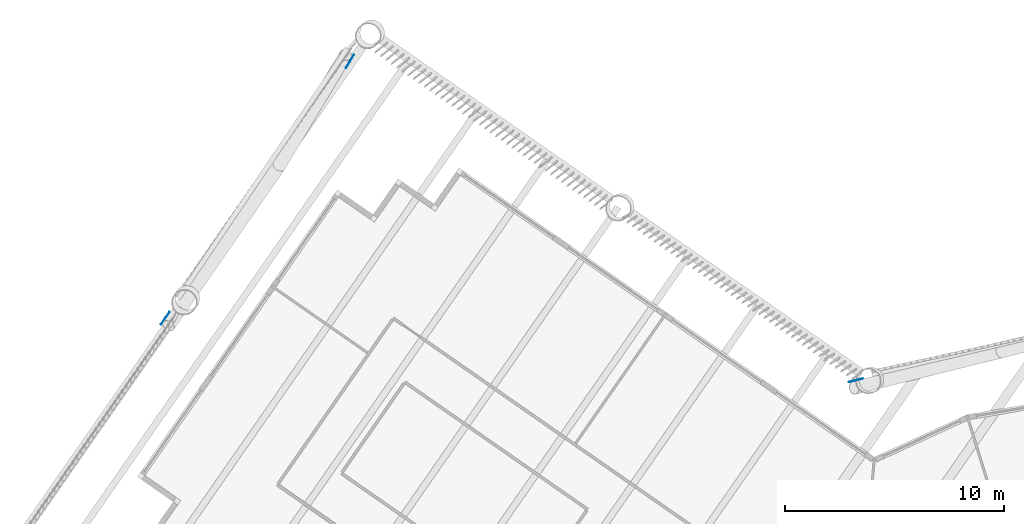
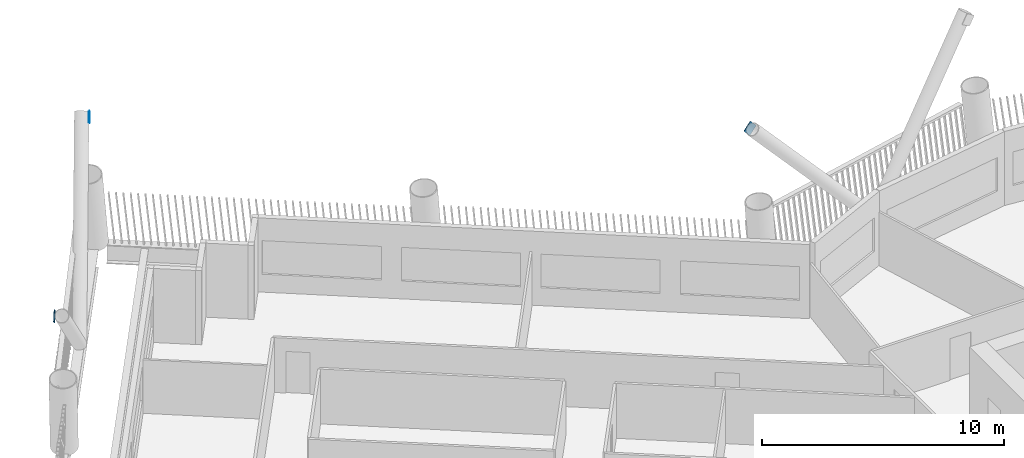
# One storey, part 12 of 23: 3 discrete accessories.
"""IFC4 building model written with IfcOpenShell, lengths in metres."""

from ifc_helpers import new_model, si_unit, direction, frame, origin, origin_2d, place, context, subcontext, project, spatial, rectangle, extrude, material, material_profile, profile_set, type_object, element, save


model = new_model("IFC4")

# Units and contexts
model_context = context("Model", 3, precision=1e-05, world=origin(), true_north=direction((0.0, 1.0)))
body_context = subcontext(model_context, "Body", "Model", "MODEL_VIEW")
ifc_project = project(units=[si_unit("LENGTHUNIT", "METRE"), si_unit("AREAUNIT", "SQUARE_METRE"), si_unit("VOLUMEUNIT", "CUBIC_METRE"), si_unit("PLANEANGLEUNIT", "RADIAN"), si_unit("MASSUNIT", "GRAM", prefix="KILO")], contexts=[model_context])

# Site, building, storey
site_placement = place(None, origin())
site = spatial("IfcSite", under=ifc_project, at=site_placement, CompositionType="ELEMENT")
building_placement = place(site_placement, origin())
building = spatial("IfcBuilding", under=site, at=building_placement, Name="Tarsis Ring Headquarters", CompositionType="ELEMENT")
storey_placement = place(building_placement, frame((0.0, 0.0, 131.800048828125)))
storey = spatial("IfcBuildingStorey", under=building, at=storey_placement, Name="L30", CompositionType="ELEMENT", Elevation=131.800048828125)

# Discrete accessories
ifc_material = material(Name="Structural steel S355", Category="steel")
ifc_material_profile = material_profile(ifc_material, rectangle(XDim=0.02490234375, YDim=0.5, at=origin_2d()), Name="PL 25x500")
ifc_profile_set = profile_set([ifc_material_profile], Name="Structural steel S355")
discrete_accessory_type = type_object("IfcDiscreteAccessoryType", Name="Gusset plate Exo brace 25", PredefinedType="BRACKET", material=ifc_profile_set)
discrete_accessory_placement = place(storey_placement, frame((-12.906005859375, 26.36962890625, 7.800048828125), z_axis=(0.645833897451, 0.160604196721, -0.746394579896), x_axis=(-0.241327290334, 0.970443784534, 0.0)))
element("IfcDiscreteAccessory", 1, at=discrete_accessory_placement, inside=storey, type_object=discrete_accessory_type, Name="Gusset plate GP5", PredefinedType="BRACKET", context=body_context, shape_type="SweptSolid", body=[
    extrude(rectangle(XDim=0.02490234375, YDim=0.5, at=origin_2d()), origin(), (0.0, 0.0, 1.0), 0.500244140625),
])
for number, where, z_axis, x_axis, name in (
    (2, (-44.44140625, 29.09228515625, 7.623779296875), (0.432715517222, 0.624653664252, -0.650050060297), (-0.822030194631, 0.569443903396, 0.0), "Gusset plate GP5"),
    (3, (-35.804443359375, 41.132568359375, 7.624267578125), (-0.31443599542, -0.524873750118, -0.790972535062), (0.857844781641, -0.513908873839, 0.0), "Gusset plate GP5"),
):
    element("IfcDiscreteAccessory", number, at=place(storey_placement, frame(where, z_axis=z_axis, x_axis=x_axis)), inside=storey, type_object=discrete_accessory_type, Name=name, PredefinedType="BRACKET", context=body_context, shape_type="SweptSolid", body=[
        extrude(rectangle(XDim=0.02490234375, YDim=0.5, at=origin_2d()), origin(), (0.0, 0.0, 1.0), 0.5),
    ])

save(model, "model.ifc")
